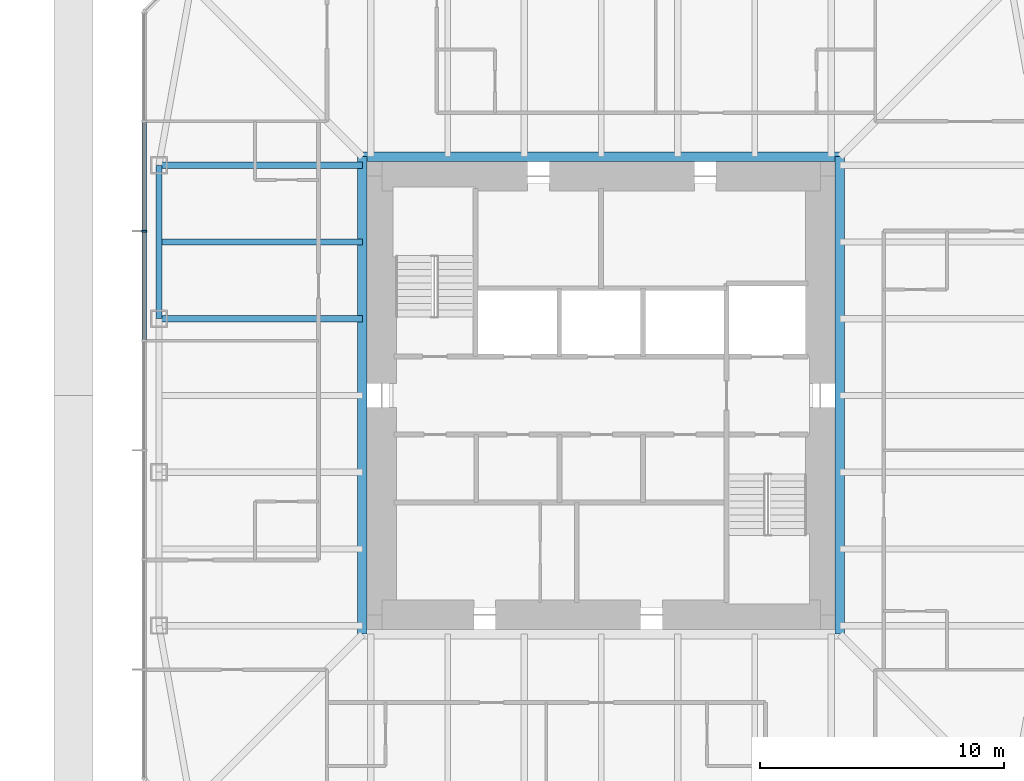
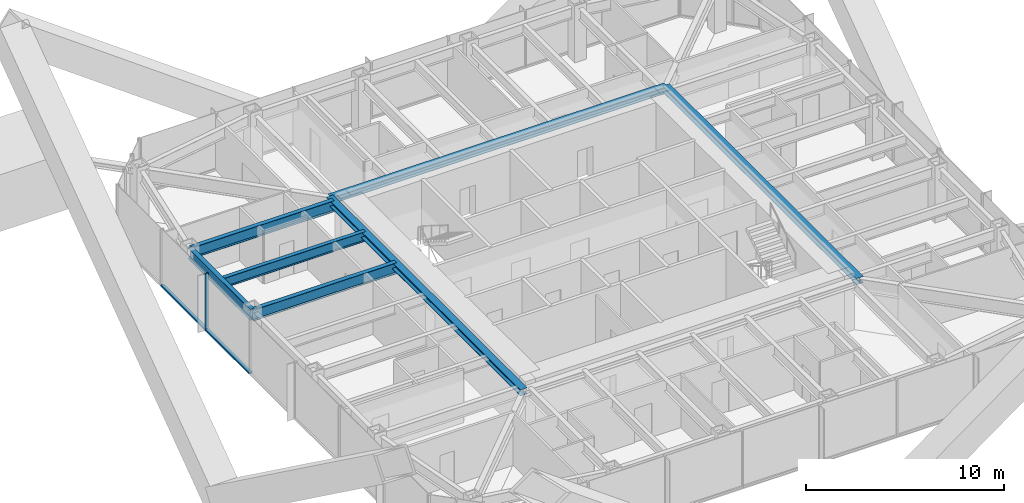
# One storey, part 3 of 13: 7 beams, 3 members, 1 element without a shape of its own.
"""IFC4 building model written with IfcOpenShell, lengths in metres."""

from ifc_helpers import new_model, si_unit, direction, frame, origin, origin_2d, place, context, subcontext, project, spatial, rectangle, i_section, extrude, material, material_profile, profile_set, type_object, element, aggregate, save


model = new_model("IFC4")

# Units and contexts
model_context = context("Model", 3, precision=1e-05, world=origin(), true_north=direction((0.0, 1.0)))
body_context = subcontext(model_context, "Body", "Model", "MODEL_VIEW")
ifc_project = project(units=[si_unit("LENGTHUNIT", "METRE"), si_unit("AREAUNIT", "SQUARE_METRE"), si_unit("VOLUMEUNIT", "CUBIC_METRE"), si_unit("PLANEANGLEUNIT", "RADIAN"), si_unit("MASSUNIT", "GRAM", prefix="KILO")], contexts=[model_context])

# Site, building, storey
site_placement = place(None, origin())
site = spatial("IfcSite", under=ifc_project, at=site_placement, CompositionType="ELEMENT")
building_placement = place(site_placement, origin())
building = spatial("IfcBuilding", under=site, at=building_placement, Name="Iwan Alto Co-Living Towers", CompositionType="ELEMENT")
storey_placement = place(building_placement, frame((0.0, 0.0, 198.5)))
storey = spatial("IfcBuildingStorey", under=building, at=storey_placement, Name="L54", CompositionType="ELEMENT", Elevation=198.5)

# Curtain wall, members
ifc_material_1 = material(Name="Bronze aluminium unitised frame", Category="aluminium")
curtain_wall_type = type_object("IfcCurtainWallType", Name="CURTAIN WALL CW-A", PredefinedType="NOTDEFINED", material=ifc_material_1)
curtain_wall_placement = place(storey_placement, origin())
curtain_wall = element("IfcCurtainWall", 1, at=curtain_wall_placement, inside=storey, type_object=curtain_wall_type, Name="T1 curtain wall W L54", PredefinedType="NOTDEFINED")
ifc_material_2 = material(Name="Aluminium 6063-T6 bronze anodised", Category="aluminium")
ifc_material_profile_1 = material_profile(ifc_material_2, rectangle(XDim=0.199951171875, YDim=0.080078125, at=origin_2d()), Name="AL 80X200")
ifc_profile_set_1 = profile_set([ifc_material_profile_1], Name="Aluminium 6063-T6 bronze anodised")
member_type_1 = type_object("IfcMemberType", Name="CW-A MULLION 80X200", PredefinedType="MULLION", material=ifc_profile_set_1)
member_1_placement = place(storey_placement, frame((-18.75, 6.75, 0.0), z_axis=(0.0, 0.0, 1.0), x_axis=(1.0, 0.0, 0.0)))
member_1 = element("IfcMember", 2, at=member_1_placement, type_object=member_type_1, Name="CW-A mullion 3", PredefinedType="MULLION", context=body_context, shape_type="SweptSolid", body=[
    extrude(rectangle(XDim=0.199951171875, YDim=0.080078125, at=origin_2d()), origin(), (0.0, 0.0, 1.0), 3.5),
])
ifc_material_3 = material(Name="Aluminium 6063-T6 bronze anodised", Category="aluminium")
ifc_material_profile_2 = material_profile(ifc_material_3, rectangle(XDim=0.199951171875, YDim=0.10009765625, at=origin_2d()), Name="AL 200X100")
ifc_profile_set_2 = profile_set([ifc_material_profile_2], Name="Aluminium 6063-T6 bronze anodised")
member_type_2 = type_object("IfcMemberType", Name="CW-A TRANSOM 200X100", PredefinedType="USERDEFINED", material=ifc_profile_set_2)
member_2_placement = place(storey_placement, frame((-18.75, 11.2099609375, 0.050048828125), z_axis=(0.0, -1.0, 0.0), x_axis=(1.0, 0.0, 0.0)))
member_2 = element("IfcMember", 3, at=member_2_placement, type_object=member_type_2, Name="CW-A transom 2.1", ObjectType="TRANSOM", PredefinedType="USERDEFINED", context=body_context, shape_type="SweptSolid", body=[
    extrude(rectangle(XDim=0.199951171875, YDim=0.10009765625, at=origin_2d()), origin(), (0.0, 0.0, 1.0), 4.419921875),
])
member_3_placement = place(storey_placement, frame((-18.75, 6.7099609375, 0.050048828125), z_axis=(0.0, -1.0, 0.0), x_axis=(1.0, 0.0, 0.0)))
member_3 = element("IfcMember", 4, at=member_3_placement, type_object=member_type_2, Name="CW-A transom 3.1", ObjectType="TRANSOM", PredefinedType="USERDEFINED", context=body_context, shape_type="SweptSolid", body=[
    extrude(rectangle(XDim=0.199951171875, YDim=0.10009765625, at=origin_2d()), origin(), (0.0, 0.0, 1.0), 4.419921875),
])
aggregate(curtain_wall, [member_1, member_2, member_3])

# Beams
ifc_material_4 = material(Name="Steel ASTM A992 Gr 50", Category="steel")
ifc_material_profile_3 = material_profile(ifc_material_4, i_section(OverallWidth=0.398681640625, OverallDepth=0.385986328125, WebThickness=0.02099609375, FlangeThickness=0.033203125, at=origin_2d()), Name="W14X176")
ifc_profile_set_3 = profile_set([ifc_material_profile_3], Name="Steel ASTM A992 Gr 50")
beam_type_1 = type_object("IfcBeamType", Name="T1 CORE LEDGER BEAM W14X176", PredefinedType="BEAM", material=ifc_profile_set_3)
for number, where, z_axis, x_axis, name in (
    (5, (9.79931640625, -9.79931640625, 3.076904296875), (0.0, 1.0, 0.0), (-1.0, 0.0, 0.0), "T1 core ledger beam E L55"),
    (6, (9.79931640625, 9.79931640625, 3.076904296875), (-1.0, 0.0, 0.0), (0.0, -1.0, 0.0), "T1 core ledger beam N L55"),
    (7, (-9.79931640625, 9.79931640625, 3.076904296875), (0.0, -1.0, 0.0), (1.0, 0.0, 0.0), "T1 core ledger beam W L55"),
):
    element("IfcBeam", number, at=place(storey_placement, frame(where, z_axis=z_axis, x_axis=x_axis)), inside=storey, type_object=beam_type_1, Name=name, PredefinedType="BEAM", context=body_context, shape_type="SweptSolid", body=[
        extrude(i_section(OverallWidth=0.398681640625, OverallDepth=0.385986328125, WebThickness=0.02099609375, FlangeThickness=0.033203125, at=origin_2d()), origin(), (0.0, 0.0, 1.0), 19.5986328125),
    ])
ifc_material_5 = material(Name="Steel ASTM A992 Gr 50", Category="steel")
ifc_material_profile_4 = material_profile(ifc_material_5, i_section(OverallWidth=0.25390625, OverallDepth=0.683349609375, WebThickness=0.012451171875, FlangeThickness=0.018798828125, at=origin_2d()), Name="W27X94")
ifc_profile_set_4 = profile_set([ifc_material_profile_4], Name="Steel ASTM A992 Gr 50")
beam_type_2 = type_object("IfcBeamType", Name="T1 EDGE BEAM W27X94", PredefinedType="BEAM", material=ifc_profile_set_4)
beam_1_placement = place(storey_placement, frame((-18.14990234375, 9.449951171875, 2.928466796875), z_axis=(0.0, -1.0, 0.0), x_axis=(1.0, 0.0, 0.0)))
element("IfcBeam", 8, at=beam_1_placement, inside=storey, type_object=beam_type_2, Name="T1 edge beam W1 L55", PredefinedType="BEAM", context=body_context, shape_type="SweptSolid", body=[
    extrude(i_section(OverallWidth=0.25390625, OverallDepth=0.683349609375, WebThickness=0.012451171875, FlangeThickness=0.018798828125, at=origin_2d()), origin(), (0.0, 0.0, 1.0), 6.300048828125),
])
ifc_material_6 = material(Name="Steel ASTM A992 Gr 50", Category="steel")
ifc_material_profile_5 = material_profile(ifc_material_6, i_section(OverallWidth=0.25390625, OverallDepth=0.683349609375, WebThickness=0.012451171875, FlangeThickness=0.018798828125, at=origin_2d()), Name="W27X94")
ifc_profile_set_5 = profile_set([ifc_material_profile_5], Name="Steel ASTM A992 Gr 50")
beam_type_3 = type_object("IfcBeamType", Name="T1 RADIAL BEAM W27X94", PredefinedType="BEAM", material=ifc_profile_set_5)
for number, where, z_axis, x_axis, name in (
    (9, (-18.14990234375, 9.449951171875, 2.928466796875), (1.0, 0.0, 0.0), (0.0, 1.0, 0.0), "T1 radial beam W1 L55"),
    (10, (-18.14990234375, 3.14990234375, 2.928466796875), (1.0, 0.0, 0.0), (0.0, 1.0, 0.0), "T1 radial beam W2 L55"),
):
    element("IfcBeam", number, at=place(storey_placement, frame(where, z_axis=z_axis, x_axis=x_axis)), inside=storey, type_object=beam_type_3, Name=name, PredefinedType="BEAM", context=body_context, shape_type="SweptSolid", body=[
        extrude(i_section(OverallWidth=0.25390625, OverallDepth=0.683349609375, WebThickness=0.012451171875, FlangeThickness=0.018798828125, at=origin_2d()), origin(), (0.0, 0.0, 1.0), 8.3505859375),
    ])
ifc_material_7 = material(Name="Steel ASTM A992 Gr 50", Category="steel")
ifc_material_profile_6 = material_profile(ifc_material_7, i_section(OverallWidth=0.228271484375, OverallDepth=0.607177734375, WebThickness=0.01123046875, FlangeThickness=0.017333984375, at=origin_2d()), Name="W24X76")
ifc_profile_set_6 = profile_set([ifc_material_profile_6], Name="Steel ASTM A992 Gr 50")
beam_type_4 = type_object("IfcBeamType", Name="T1 SECONDARY BEAM W24X76", PredefinedType="JOIST", material=ifc_profile_set_6)
beam_2_placement = place(storey_placement, frame((-18.14990234375, 6.300048828125, 2.966552734375), z_axis=(1.0, 0.0, 0.0), x_axis=(0.0, 1.0, 0.0)))
element("IfcBeam", 11, at=beam_2_placement, inside=storey, type_object=beam_type_4, Name="T1 secondary beam W1 L55", PredefinedType="JOIST", context=body_context, shape_type="SweptSolid", body=[
    extrude(i_section(OverallWidth=0.228271484375, OverallDepth=0.607177734375, WebThickness=0.01123046875, FlangeThickness=0.017333984375, at=origin_2d()), origin(), (0.0, 0.0, 1.0), 8.3505859375),
])

save(model, "model.ifc")
